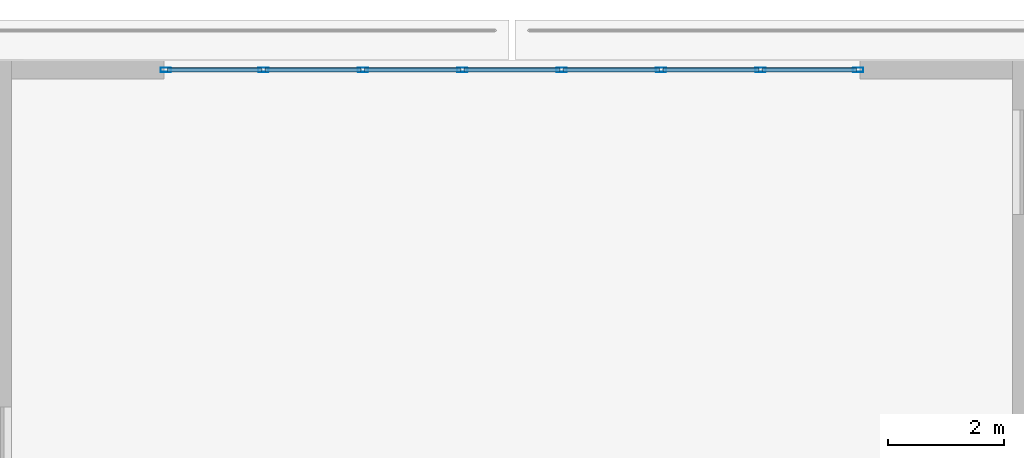
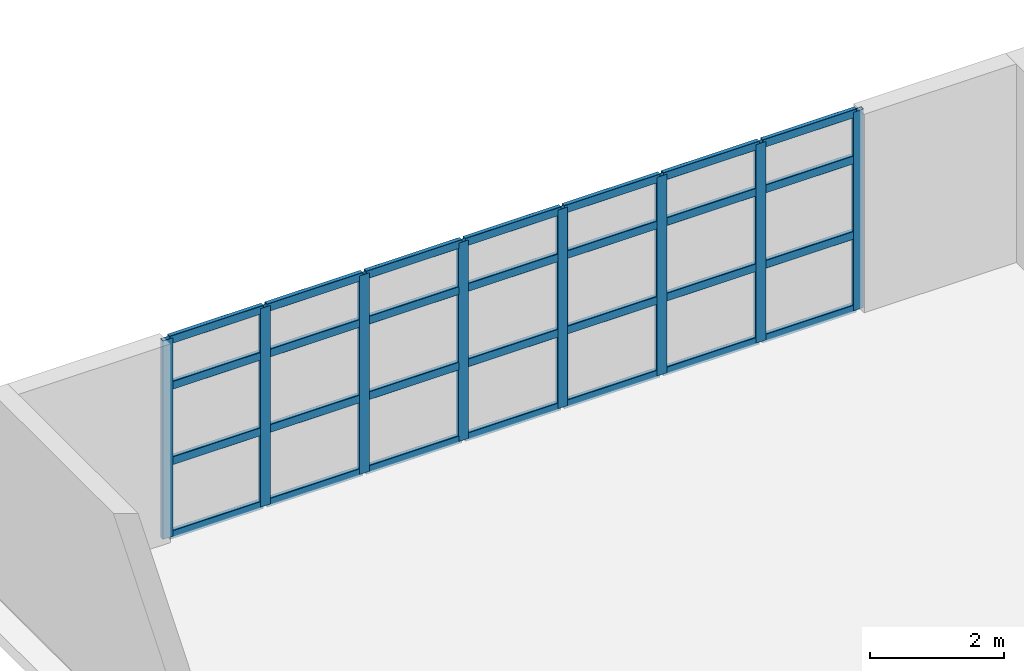
# One storey, part 10 of 23: 36 members, 1 element without a shape of its own.
"""IFC4 building model written with IfcOpenShell, lengths in metres."""

from ifc_helpers import new_model, si_unit, direction, frame, origin, origin_2d, place, context, subcontext, project, spatial, hollow_rectangle, extrude, material, layer, layer_set, material_profile, profile_set, type_object, element, aggregate, save


model = new_model("IFC4")

# Units and contexts
model_context = context("Model", 3, precision=1e-05, world=origin(), true_north=direction((0.0, 1.0)))
body_context = subcontext(model_context, "Body", "Model", "MODEL_VIEW")
ifc_project = project(units=[si_unit("LENGTHUNIT", "METRE"), si_unit("AREAUNIT", "SQUARE_METRE"), si_unit("VOLUMEUNIT", "CUBIC_METRE"), si_unit("PLANEANGLEUNIT", "RADIAN"), si_unit("MASSUNIT", "GRAM", prefix="KILO")], contexts=[model_context])

# Site, building, storey
site_placement = place(None, origin())
site = spatial("IfcSite", under=ifc_project, at=site_placement, CompositionType="ELEMENT")
building_placement = place(site_placement, origin())
building = spatial("IfcBuilding", under=site, at=building_placement, Name="Qingluan Cross Belvedere", CompositionType="ELEMENT")
storey_placement = place(building_placement, frame((0.0, 0.0, 5.39990234375)))
storey = spatial("IfcBuildingStorey", under=building, at=storey_placement, Name="L02", CompositionType="ELEMENT", Elevation=5.39990234375)

# Curtain wall, members
ifc_material_1 = material(Name="Thermally broken aluminium and Low-E glass", Category="aluminium")
ifc_layer = layer(ifc_material_1, 0.199951171875, Name="UnitisedCW_PodiumArrival")
ifc_layer_set = layer_set([ifc_layer], Name="Thermally broken aluminium and Low-E glass")
curtain_wall_type = type_object("IfcCurtainWallType", Name="UnitisedCW_PodiumArrival", PredefinedType="USERDEFINED", material=ifc_layer_set)
curtain_wall_placement = place(storey_placement, origin())
curtain_wall = element("IfcCurtainWall", 1, at=curtain_wall_placement, inside=storey, type_object=curtain_wall_type, Name="UnitisedCW_PodiumArrival run env:cw:L02:N", ObjectType="UNITISED CURTAIN WALL", PredefinedType="USERDEFINED")
ifc_material_2 = material(Name="Aluminium alloy 6063-T6", Category="aluminium")
ifc_material_profile_1 = material_profile(ifc_material_2, hollow_rectangle(XDim=0.074951171875, YDim=0.179931640625, WallThickness=0.00390625, InnerFilletRadius=0.00390625, OuterFilletRadius=0.008056640625, at=origin_2d()), Name="CWM180x75x4")
ifc_profile_set_1 = profile_set([ifc_material_profile_1], Name="Aluminium alloy 6063-T6")
member_type_1 = type_object("IfcMemberType", Name="CWMullion_180", PredefinedType="MULLION", material=ifc_profile_set_1)
member_1_placement = place(storey_placement, frame((-5.969970703125, 38.340087890625, 0.0), z_axis=(0.0, 0.0, 1.0), x_axis=(0.0, 1.0, 0.0)))
member_1 = element("IfcMember", 2, at=member_1_placement, type_object=member_type_1, Name="CW-P1 mullion 1", PredefinedType="MULLION", context=body_context, shape_type="SweptSolid", body=[
    extrude(hollow_rectangle(XDim=0.074951171875, YDim=0.179931640625, WallThickness=0.00390625, InnerFilletRadius=0.00390625, OuterFilletRadius=0.008056640625, at=origin_2d()), origin(), (0.0, 0.0, 1.0), 3.630126953125),
])
member_2_placement = place(storey_placement, frame((-4.28564453125, 38.340087890625, 0.0), z_axis=(0.0, 0.0, 1.0), x_axis=(0.0, 1.0, 0.0)))
member_2 = element("IfcMember", 3, at=member_2_placement, type_object=member_type_1, Name="CW-P1 mullion 2", PredefinedType="MULLION", context=body_context, shape_type="SweptSolid", body=[
    extrude(hollow_rectangle(XDim=0.074951171875, YDim=0.179931640625, WallThickness=0.00390625, InnerFilletRadius=0.00390625, OuterFilletRadius=0.008056640625, at=origin_2d()), origin(), (0.0, 0.0, 1.0), 3.630126953125),
])
member_3_placement = place(storey_placement, frame((-2.571533203125, 38.340087890625, 0.0), z_axis=(0.0, 0.0, 1.0), x_axis=(0.0, 1.0, 0.0)))
member_3 = element("IfcMember", 4, at=member_3_placement, type_object=member_type_1, Name="CW-P1 mullion 3", PredefinedType="MULLION", context=body_context, shape_type="SweptSolid", body=[
    extrude(hollow_rectangle(XDim=0.074951171875, YDim=0.179931640625, WallThickness=0.00390625, InnerFilletRadius=0.00390625, OuterFilletRadius=0.008056640625, at=origin_2d()), origin(), (0.0, 0.0, 1.0), 3.630126953125),
])
member_4_placement = place(storey_placement, frame((-0.857177734375, 38.340087890625, 0.0), z_axis=(0.0, 0.0, 1.0), x_axis=(0.0, 1.0, 0.0)))
member_4 = element("IfcMember", 5, at=member_4_placement, type_object=member_type_1, Name="CW-P1 mullion 4", PredefinedType="MULLION", context=body_context, shape_type="SweptSolid", body=[
    extrude(hollow_rectangle(XDim=0.074951171875, YDim=0.179931640625, WallThickness=0.00390625, InnerFilletRadius=0.00390625, OuterFilletRadius=0.008056640625, at=origin_2d()), origin(), (0.0, 0.0, 1.0), 3.630126953125),
])
member_5_placement = place(storey_placement, frame((0.857177734375, 38.340087890625, 0.0), z_axis=(0.0, 0.0, 1.0), x_axis=(0.0, 1.0, 0.0)))
member_5 = element("IfcMember", 6, at=member_5_placement, type_object=member_type_1, Name="CW-P1 mullion 5", PredefinedType="MULLION", context=body_context, shape_type="SweptSolid", body=[
    extrude(hollow_rectangle(XDim=0.074951171875, YDim=0.179931640625, WallThickness=0.00390625, InnerFilletRadius=0.00390625, OuterFilletRadius=0.008056640625, at=origin_2d()), origin(), (0.0, 0.0, 1.0), 3.630126953125),
])
member_6_placement = place(storey_placement, frame((2.571533203125, 38.340087890625, 0.0), z_axis=(0.0, 0.0, 1.0), x_axis=(0.0, 1.0, 0.0)))
member_6 = element("IfcMember", 7, at=member_6_placement, type_object=member_type_1, Name="CW-P1 mullion 6", PredefinedType="MULLION", context=body_context, shape_type="SweptSolid", body=[
    extrude(hollow_rectangle(XDim=0.074951171875, YDim=0.179931640625, WallThickness=0.00390625, InnerFilletRadius=0.00390625, OuterFilletRadius=0.008056640625, at=origin_2d()), origin(), (0.0, 0.0, 1.0), 3.630126953125),
])
member_7_placement = place(storey_placement, frame((4.28564453125, 38.340087890625, 0.0), z_axis=(0.0, 0.0, 1.0), x_axis=(0.0, 1.0, 0.0)))
member_7 = element("IfcMember", 8, at=member_7_placement, type_object=member_type_1, Name="CW-P1 mullion 7", PredefinedType="MULLION", context=body_context, shape_type="SweptSolid", body=[
    extrude(hollow_rectangle(XDim=0.074951171875, YDim=0.179931640625, WallThickness=0.00390625, InnerFilletRadius=0.00390625, OuterFilletRadius=0.008056640625, at=origin_2d()), origin(), (0.0, 0.0, 1.0), 3.630126953125),
])
member_8_placement = place(storey_placement, frame((5.969970703125, 38.340087890625, 0.0), z_axis=(0.0, 0.0, 1.0), x_axis=(0.0, 1.0, 0.0)))
member_8 = element("IfcMember", 9, at=member_8_placement, type_object=member_type_1, Name="CW-P1 mullion 8", PredefinedType="MULLION", context=body_context, shape_type="SweptSolid", body=[
    extrude(hollow_rectangle(XDim=0.074951171875, YDim=0.179931640625, WallThickness=0.00390625, InnerFilletRadius=0.00390625, OuterFilletRadius=0.008056640625, at=origin_2d()), origin(), (0.0, 0.0, 1.0), 3.630126953125),
])
ifc_material_3 = material(Name="Aluminium alloy 6063-T6", Category="aluminium")
ifc_material_profile_2 = material_profile(ifc_material_3, hollow_rectangle(XDim=0.074951171875, YDim=0.14990234375, WallThickness=0.00390625, InnerFilletRadius=0.00390625, OuterFilletRadius=0.008056640625, at=origin_2d()), Name="CWT150x75x4")
ifc_profile_set_2 = profile_set([ifc_material_profile_2], Name="Aluminium alloy 6063-T6")
member_type_2 = type_object("IfcMemberType", Name="CWTransom_150", PredefinedType="USERDEFINED", material=ifc_profile_set_2)
member_9_placement = place(storey_placement, frame((-5.93994140625, 38.340087890625, 0.030029296875), z_axis=(1.0, 0.0, 0.0), x_axis=(0.0, 1.0, 0.0)))
member_9 = element("IfcMember", 10, at=member_9_placement, type_object=member_type_2, Name="CW-P1 transom 1.1", ObjectType="TRANSOM", PredefinedType="USERDEFINED", context=body_context, shape_type="SweptSolid", body=[
    extrude(hollow_rectangle(XDim=0.074951171875, YDim=0.14990234375, WallThickness=0.00390625, InnerFilletRadius=0.00390625, OuterFilletRadius=0.008056640625, at=origin_2d()), origin(), (0.0, 0.0, 1.0), 1.624267578125),
])
member_10_placement = place(storey_placement, frame((-5.93994140625, 38.340087890625, 1.379150390625), z_axis=(1.0, 0.0, 0.0), x_axis=(0.0, 1.0, 0.0)))
member_10 = element("IfcMember", 11, at=member_10_placement, type_object=member_type_2, Name="CW-P1 transom 1.2", ObjectType="TRANSOM", PredefinedType="USERDEFINED", context=body_context, shape_type="SweptSolid", body=[
    extrude(hollow_rectangle(XDim=0.074951171875, YDim=0.14990234375, WallThickness=0.00390625, InnerFilletRadius=0.00390625, OuterFilletRadius=0.008056640625, at=origin_2d()), origin(), (0.0, 0.0, 1.0), 1.624267578125),
])
member_11_placement = place(storey_placement, frame((-5.93994140625, 38.340087890625, 2.759033203125), z_axis=(1.0, 0.0, 0.0), x_axis=(0.0, 1.0, 0.0)))
member_11 = element("IfcMember", 12, at=member_11_placement, type_object=member_type_2, Name="CW-P1 transom 1.3", ObjectType="TRANSOM", PredefinedType="USERDEFINED", context=body_context, shape_type="SweptSolid", body=[
    extrude(hollow_rectangle(XDim=0.074951171875, YDim=0.14990234375, WallThickness=0.00390625, InnerFilletRadius=0.00390625, OuterFilletRadius=0.008056640625, at=origin_2d()), origin(), (0.0, 0.0, 1.0), 1.624267578125),
])
member_12_placement = place(storey_placement, frame((-5.93994140625, 38.340087890625, 3.60009765625), z_axis=(1.0, 0.0, 0.0), x_axis=(0.0, 1.0, 0.0)))
member_12 = element("IfcMember", 13, at=member_12_placement, type_object=member_type_2, Name="CW-P1 transom 1.4", ObjectType="TRANSOM", PredefinedType="USERDEFINED", context=body_context, shape_type="SweptSolid", body=[
    extrude(hollow_rectangle(XDim=0.074951171875, YDim=0.14990234375, WallThickness=0.00390625, InnerFilletRadius=0.00390625, OuterFilletRadius=0.008056640625, at=origin_2d()), origin(), (0.0, 0.0, 1.0), 1.624267578125),
])
member_13_placement = place(storey_placement, frame((-4.255615234375, 38.340087890625, 0.030029296875), z_axis=(1.0, 0.0, 0.0), x_axis=(0.0, 1.0, 0.0)))
member_13 = element("IfcMember", 14, at=member_13_placement, type_object=member_type_2, Name="CW-P1 transom 2.1", ObjectType="TRANSOM", PredefinedType="USERDEFINED", context=body_context, shape_type="SweptSolid", body=[
    extrude(hollow_rectangle(XDim=0.074951171875, YDim=0.14990234375, WallThickness=0.00390625, InnerFilletRadius=0.00390625, OuterFilletRadius=0.008056640625, at=origin_2d()), origin(), (0.0, 0.0, 1.0), 1.654296875),
])
member_14_placement = place(storey_placement, frame((-4.255615234375, 38.340087890625, 1.379150390625), z_axis=(1.0, 0.0, 0.0), x_axis=(0.0, 1.0, 0.0)))
member_14 = element("IfcMember", 15, at=member_14_placement, type_object=member_type_2, Name="CW-P1 transom 2.2", ObjectType="TRANSOM", PredefinedType="USERDEFINED", context=body_context, shape_type="SweptSolid", body=[
    extrude(hollow_rectangle(XDim=0.074951171875, YDim=0.14990234375, WallThickness=0.00390625, InnerFilletRadius=0.00390625, OuterFilletRadius=0.008056640625, at=origin_2d()), origin(), (0.0, 0.0, 1.0), 1.654296875),
])
member_15_placement = place(storey_placement, frame((-4.255615234375, 38.340087890625, 2.759033203125), z_axis=(1.0, 0.0, 0.0), x_axis=(0.0, 1.0, 0.0)))
member_15 = element("IfcMember", 16, at=member_15_placement, type_object=member_type_2, Name="CW-P1 transom 2.3", ObjectType="TRANSOM", PredefinedType="USERDEFINED", context=body_context, shape_type="SweptSolid", body=[
    extrude(hollow_rectangle(XDim=0.074951171875, YDim=0.14990234375, WallThickness=0.00390625, InnerFilletRadius=0.00390625, OuterFilletRadius=0.008056640625, at=origin_2d()), origin(), (0.0, 0.0, 1.0), 1.654296875),
])
member_16_placement = place(storey_placement, frame((-4.255615234375, 38.340087890625, 3.60009765625), z_axis=(1.0, 0.0, 0.0), x_axis=(0.0, 1.0, 0.0)))
member_16 = element("IfcMember", 17, at=member_16_placement, type_object=member_type_2, Name="CW-P1 transom 2.4", ObjectType="TRANSOM", PredefinedType="USERDEFINED", context=body_context, shape_type="SweptSolid", body=[
    extrude(hollow_rectangle(XDim=0.074951171875, YDim=0.14990234375, WallThickness=0.00390625, InnerFilletRadius=0.00390625, OuterFilletRadius=0.008056640625, at=origin_2d()), origin(), (0.0, 0.0, 1.0), 1.654296875),
])
member_17_placement = place(storey_placement, frame((-2.54150390625, 38.340087890625, 0.030029296875), z_axis=(1.0, 0.0, 0.0), x_axis=(0.0, 1.0, 0.0)))
member_17 = element("IfcMember", 18, at=member_17_placement, type_object=member_type_2, Name="CW-P1 transom 3.1", ObjectType="TRANSOM", PredefinedType="USERDEFINED", context=body_context, shape_type="SweptSolid", body=[
    extrude(hollow_rectangle(XDim=0.074951171875, YDim=0.14990234375, WallThickness=0.00390625, InnerFilletRadius=0.00390625, OuterFilletRadius=0.008056640625, at=origin_2d()), origin(), (0.0, 0.0, 1.0), 1.654296875),
])
member_18_placement = place(storey_placement, frame((-2.54150390625, 38.340087890625, 1.379150390625), z_axis=(1.0, 0.0, 0.0), x_axis=(0.0, 1.0, 0.0)))
member_18 = element("IfcMember", 19, at=member_18_placement, type_object=member_type_2, Name="CW-P1 transom 3.2", ObjectType="TRANSOM", PredefinedType="USERDEFINED", context=body_context, shape_type="SweptSolid", body=[
    extrude(hollow_rectangle(XDim=0.074951171875, YDim=0.14990234375, WallThickness=0.00390625, InnerFilletRadius=0.00390625, OuterFilletRadius=0.008056640625, at=origin_2d()), origin(), (0.0, 0.0, 1.0), 1.654296875),
])
member_19_placement = place(storey_placement, frame((-2.54150390625, 38.340087890625, 2.759033203125), z_axis=(1.0, 0.0, 0.0), x_axis=(0.0, 1.0, 0.0)))
member_19 = element("IfcMember", 20, at=member_19_placement, type_object=member_type_2, Name="CW-P1 transom 3.3", ObjectType="TRANSOM", PredefinedType="USERDEFINED", context=body_context, shape_type="SweptSolid", body=[
    extrude(hollow_rectangle(XDim=0.074951171875, YDim=0.14990234375, WallThickness=0.00390625, InnerFilletRadius=0.00390625, OuterFilletRadius=0.008056640625, at=origin_2d()), origin(), (0.0, 0.0, 1.0), 1.654296875),
])
member_20_placement = place(storey_placement, frame((-2.54150390625, 38.340087890625, 3.60009765625), z_axis=(1.0, 0.0, 0.0), x_axis=(0.0, 1.0, 0.0)))
member_20 = element("IfcMember", 21, at=member_20_placement, type_object=member_type_2, Name="CW-P1 transom 3.4", ObjectType="TRANSOM", PredefinedType="USERDEFINED", context=body_context, shape_type="SweptSolid", body=[
    extrude(hollow_rectangle(XDim=0.074951171875, YDim=0.14990234375, WallThickness=0.00390625, InnerFilletRadius=0.00390625, OuterFilletRadius=0.008056640625, at=origin_2d()), origin(), (0.0, 0.0, 1.0), 1.654296875),
])
member_21_placement = place(storey_placement, frame((-0.8271484375, 38.340087890625, 0.030029296875), z_axis=(1.0, 0.0, 0.0), x_axis=(0.0, 1.0, 0.0)))
member_21 = element("IfcMember", 22, at=member_21_placement, type_object=member_type_2, Name="CW-P1 transom 4.1", ObjectType="TRANSOM", PredefinedType="USERDEFINED", context=body_context, shape_type="SweptSolid", body=[
    extrude(hollow_rectangle(XDim=0.074951171875, YDim=0.14990234375, WallThickness=0.00390625, InnerFilletRadius=0.00390625, OuterFilletRadius=0.008056640625, at=origin_2d()), origin(), (0.0, 0.0, 1.0), 1.654296875),
])
member_22_placement = place(storey_placement, frame((-0.8271484375, 38.340087890625, 1.379150390625), z_axis=(1.0, 0.0, 0.0), x_axis=(0.0, 1.0, 0.0)))
member_22 = element("IfcMember", 23, at=member_22_placement, type_object=member_type_2, Name="CW-P1 transom 4.2", ObjectType="TRANSOM", PredefinedType="USERDEFINED", context=body_context, shape_type="SweptSolid", body=[
    extrude(hollow_rectangle(XDim=0.074951171875, YDim=0.14990234375, WallThickness=0.00390625, InnerFilletRadius=0.00390625, OuterFilletRadius=0.008056640625, at=origin_2d()), origin(), (0.0, 0.0, 1.0), 1.654296875),
])
member_23_placement = place(storey_placement, frame((-0.8271484375, 38.340087890625, 2.759033203125), z_axis=(1.0, 0.0, 0.0), x_axis=(0.0, 1.0, 0.0)))
member_23 = element("IfcMember", 24, at=member_23_placement, type_object=member_type_2, Name="CW-P1 transom 4.3", ObjectType="TRANSOM", PredefinedType="USERDEFINED", context=body_context, shape_type="SweptSolid", body=[
    extrude(hollow_rectangle(XDim=0.074951171875, YDim=0.14990234375, WallThickness=0.00390625, InnerFilletRadius=0.00390625, OuterFilletRadius=0.008056640625, at=origin_2d()), origin(), (0.0, 0.0, 1.0), 1.654296875),
])
member_24_placement = place(storey_placement, frame((-0.8271484375, 38.340087890625, 3.60009765625), z_axis=(1.0, 0.0, 0.0), x_axis=(0.0, 1.0, 0.0)))
member_24 = element("IfcMember", 25, at=member_24_placement, type_object=member_type_2, Name="CW-P1 transom 4.4", ObjectType="TRANSOM", PredefinedType="USERDEFINED", context=body_context, shape_type="SweptSolid", body=[
    extrude(hollow_rectangle(XDim=0.074951171875, YDim=0.14990234375, WallThickness=0.00390625, InnerFilletRadius=0.00390625, OuterFilletRadius=0.008056640625, at=origin_2d()), origin(), (0.0, 0.0, 1.0), 1.654296875),
])
member_25_placement = place(storey_placement, frame((0.88720703125, 38.340087890625, 0.030029296875), z_axis=(1.0, 0.0, 0.0), x_axis=(0.0, 1.0, 0.0)))
member_25 = element("IfcMember", 26, at=member_25_placement, type_object=member_type_2, Name="CW-P1 transom 5.1", ObjectType="TRANSOM", PredefinedType="USERDEFINED", context=body_context, shape_type="SweptSolid", body=[
    extrude(hollow_rectangle(XDim=0.074951171875, YDim=0.14990234375, WallThickness=0.00390625, InnerFilletRadius=0.00390625, OuterFilletRadius=0.008056640625, at=origin_2d()), origin(), (0.0, 0.0, 1.0), 1.654296875),
])
member_26_placement = place(storey_placement, frame((0.88720703125, 38.340087890625, 1.379150390625), z_axis=(1.0, 0.0, 0.0), x_axis=(0.0, 1.0, 0.0)))
member_26 = element("IfcMember", 27, at=member_26_placement, type_object=member_type_2, Name="CW-P1 transom 5.2", ObjectType="TRANSOM", PredefinedType="USERDEFINED", context=body_context, shape_type="SweptSolid", body=[
    extrude(hollow_rectangle(XDim=0.074951171875, YDim=0.14990234375, WallThickness=0.00390625, InnerFilletRadius=0.00390625, OuterFilletRadius=0.008056640625, at=origin_2d()), origin(), (0.0, 0.0, 1.0), 1.654296875),
])
member_27_placement = place(storey_placement, frame((0.88720703125, 38.340087890625, 2.759033203125), z_axis=(1.0, 0.0, 0.0), x_axis=(0.0, 1.0, 0.0)))
member_27 = element("IfcMember", 28, at=member_27_placement, type_object=member_type_2, Name="CW-P1 transom 5.3", ObjectType="TRANSOM", PredefinedType="USERDEFINED", context=body_context, shape_type="SweptSolid", body=[
    extrude(hollow_rectangle(XDim=0.074951171875, YDim=0.14990234375, WallThickness=0.00390625, InnerFilletRadius=0.00390625, OuterFilletRadius=0.008056640625, at=origin_2d()), origin(), (0.0, 0.0, 1.0), 1.654296875),
])
member_28_placement = place(storey_placement, frame((0.88720703125, 38.340087890625, 3.60009765625), z_axis=(1.0, 0.0, 0.0), x_axis=(0.0, 1.0, 0.0)))
member_28 = element("IfcMember", 29, at=member_28_placement, type_object=member_type_2, Name="CW-P1 transom 5.4", ObjectType="TRANSOM", PredefinedType="USERDEFINED", context=body_context, shape_type="SweptSolid", body=[
    extrude(hollow_rectangle(XDim=0.074951171875, YDim=0.14990234375, WallThickness=0.00390625, InnerFilletRadius=0.00390625, OuterFilletRadius=0.008056640625, at=origin_2d()), origin(), (0.0, 0.0, 1.0), 1.654296875),
])
member_29_placement = place(storey_placement, frame((2.601318359375, 38.340087890625, 0.030029296875), z_axis=(1.0, 0.0, 0.0), x_axis=(0.0, 1.0, 0.0)))
member_29 = element("IfcMember", 30, at=member_29_placement, type_object=member_type_2, Name="CW-P1 transom 6.1", ObjectType="TRANSOM", PredefinedType="USERDEFINED", context=body_context, shape_type="SweptSolid", body=[
    extrude(hollow_rectangle(XDim=0.074951171875, YDim=0.14990234375, WallThickness=0.00390625, InnerFilletRadius=0.00390625, OuterFilletRadius=0.008056640625, at=origin_2d()), origin(), (0.0, 0.0, 1.0), 1.654296875),
])
member_30_placement = place(storey_placement, frame((2.601318359375, 38.340087890625, 1.379150390625), z_axis=(1.0, 0.0, 0.0), x_axis=(0.0, 1.0, 0.0)))
member_30 = element("IfcMember", 31, at=member_30_placement, type_object=member_type_2, Name="CW-P1 transom 6.2", ObjectType="TRANSOM", PredefinedType="USERDEFINED", context=body_context, shape_type="SweptSolid", body=[
    extrude(hollow_rectangle(XDim=0.074951171875, YDim=0.14990234375, WallThickness=0.00390625, InnerFilletRadius=0.00390625, OuterFilletRadius=0.008056640625, at=origin_2d()), origin(), (0.0, 0.0, 1.0), 1.654296875),
])
member_31_placement = place(storey_placement, frame((2.601318359375, 38.340087890625, 2.759033203125), z_axis=(1.0, 0.0, 0.0), x_axis=(0.0, 1.0, 0.0)))
member_31 = element("IfcMember", 32, at=member_31_placement, type_object=member_type_2, Name="CW-P1 transom 6.3", ObjectType="TRANSOM", PredefinedType="USERDEFINED", context=body_context, shape_type="SweptSolid", body=[
    extrude(hollow_rectangle(XDim=0.074951171875, YDim=0.14990234375, WallThickness=0.00390625, InnerFilletRadius=0.00390625, OuterFilletRadius=0.008056640625, at=origin_2d()), origin(), (0.0, 0.0, 1.0), 1.654296875),
])
member_32_placement = place(storey_placement, frame((2.601318359375, 38.340087890625, 3.60009765625), z_axis=(1.0, 0.0, 0.0), x_axis=(0.0, 1.0, 0.0)))
member_32 = element("IfcMember", 33, at=member_32_placement, type_object=member_type_2, Name="CW-P1 transom 6.4", ObjectType="TRANSOM", PredefinedType="USERDEFINED", context=body_context, shape_type="SweptSolid", body=[
    extrude(hollow_rectangle(XDim=0.074951171875, YDim=0.14990234375, WallThickness=0.00390625, InnerFilletRadius=0.00390625, OuterFilletRadius=0.008056640625, at=origin_2d()), origin(), (0.0, 0.0, 1.0), 1.654296875),
])
member_33_placement = place(storey_placement, frame((4.315673828125, 38.340087890625, 0.030029296875), z_axis=(1.0, 0.0, 0.0), x_axis=(0.0, 1.0, 0.0)))
member_33 = element("IfcMember", 34, at=member_33_placement, type_object=member_type_2, Name="CW-P1 transom 7.1", ObjectType="TRANSOM", PredefinedType="USERDEFINED", context=body_context, shape_type="SweptSolid", body=[
    extrude(hollow_rectangle(XDim=0.074951171875, YDim=0.14990234375, WallThickness=0.00390625, InnerFilletRadius=0.00390625, OuterFilletRadius=0.008056640625, at=origin_2d()), origin(), (0.0, 0.0, 1.0), 1.624267578125),
])
member_34_placement = place(storey_placement, frame((4.315673828125, 38.340087890625, 1.379150390625), z_axis=(1.0, 0.0, 0.0), x_axis=(0.0, 1.0, 0.0)))
member_34 = element("IfcMember", 35, at=member_34_placement, type_object=member_type_2, Name="CW-P1 transom 7.2", ObjectType="TRANSOM", PredefinedType="USERDEFINED", context=body_context, shape_type="SweptSolid", body=[
    extrude(hollow_rectangle(XDim=0.074951171875, YDim=0.14990234375, WallThickness=0.00390625, InnerFilletRadius=0.00390625, OuterFilletRadius=0.008056640625, at=origin_2d()), origin(), (0.0, 0.0, 1.0), 1.624267578125),
])
member_35_placement = place(storey_placement, frame((4.315673828125, 38.340087890625, 2.759033203125), z_axis=(1.0, 0.0, 0.0), x_axis=(0.0, 1.0, 0.0)))
member_35 = element("IfcMember", 36, at=member_35_placement, type_object=member_type_2, Name="CW-P1 transom 7.3", ObjectType="TRANSOM", PredefinedType="USERDEFINED", context=body_context, shape_type="SweptSolid", body=[
    extrude(hollow_rectangle(XDim=0.074951171875, YDim=0.14990234375, WallThickness=0.00390625, InnerFilletRadius=0.00390625, OuterFilletRadius=0.008056640625, at=origin_2d()), origin(), (0.0, 0.0, 1.0), 1.624267578125),
])
member_36_placement = place(storey_placement, frame((4.315673828125, 38.340087890625, 3.60009765625), z_axis=(1.0, 0.0, 0.0), x_axis=(0.0, 1.0, 0.0)))
member_36 = element("IfcMember", 37, at=member_36_placement, type_object=member_type_2, Name="CW-P1 transom 7.4", ObjectType="TRANSOM", PredefinedType="USERDEFINED", context=body_context, shape_type="SweptSolid", body=[
    extrude(hollow_rectangle(XDim=0.074951171875, YDim=0.14990234375, WallThickness=0.00390625, InnerFilletRadius=0.00390625, OuterFilletRadius=0.008056640625, at=origin_2d()), origin(), (0.0, 0.0, 1.0), 1.624267578125),
])
aggregate(curtain_wall, [member_1, member_2, member_3, member_4, member_5, member_6, member_7, member_8, member_9, member_10, member_11, member_12, member_13, member_14, member_15, member_16, member_17, member_18, member_19, member_20, member_21, member_22, member_23, member_24, member_25, member_26, member_27, member_28, member_29, member_30, member_31, member_32, member_33, member_34, member_35, member_36])

save(model, "model.ifc")
